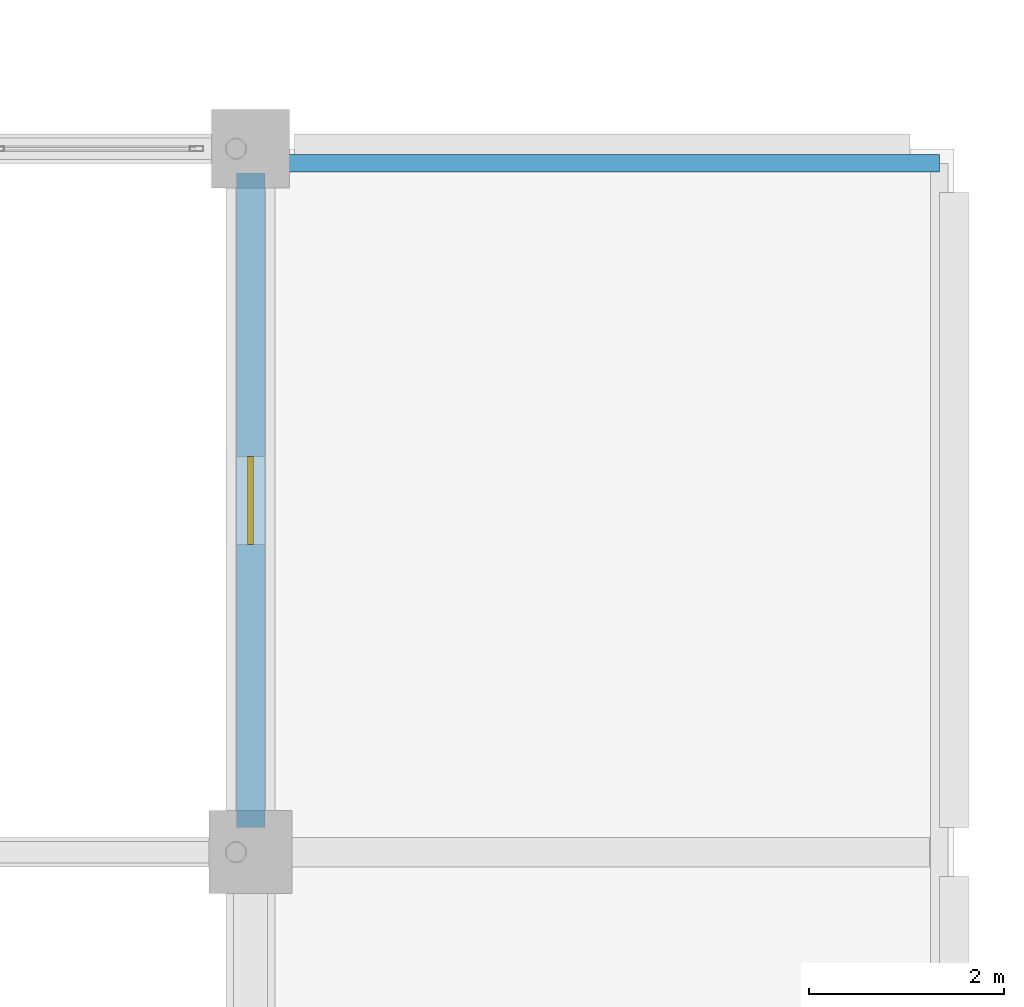
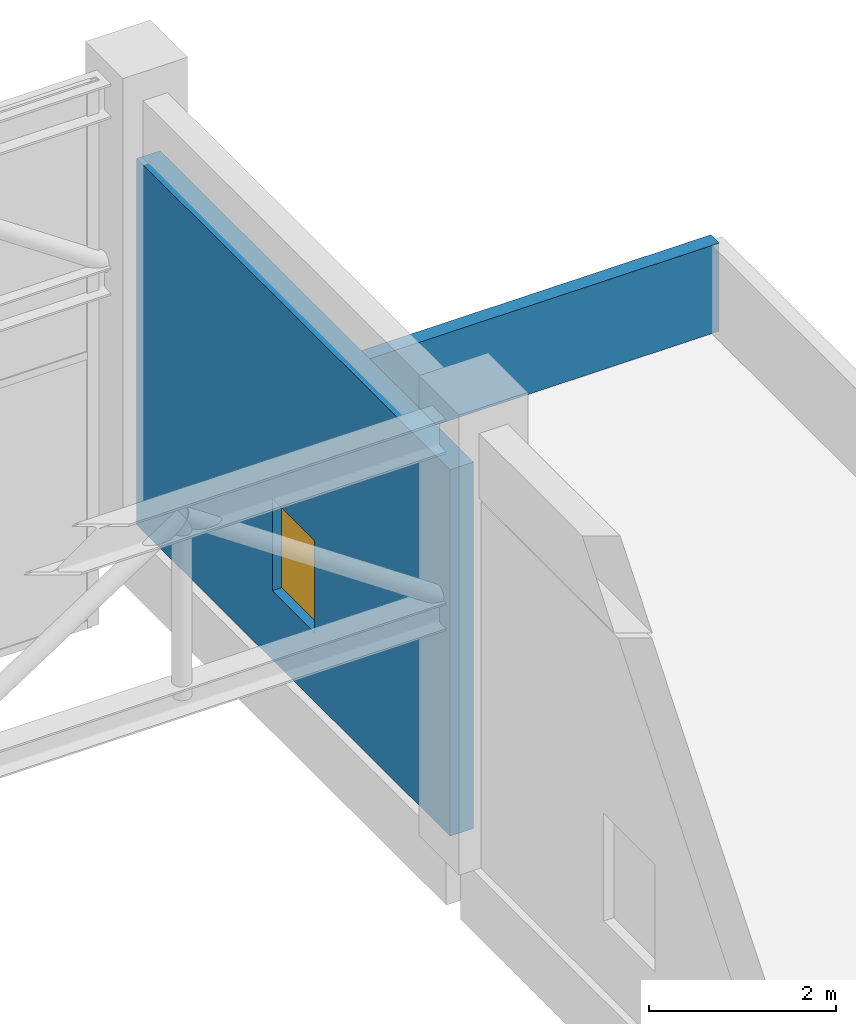
# One storey, part 138 of 153: 2 walls, 1 window, 1 opening.
"""IFC4 building model written with IfcOpenShell, lengths in metres."""

from ifc_helpers import new_model, si_unit, direction, frame, frame_2d, origin, place, context, subcontext, project, spatial, rectangle, extrude, material, layer, layer_set, type_object, element, fill, save


model = new_model("IFC4")

# Units and contexts
model_context = context("Model", 3, precision=1e-05, world=origin(), true_north=direction((0.0, 1.0)))
body_context = subcontext(model_context, "Body", "Model", "MODEL_VIEW")
ifc_project = project(units=[si_unit("LENGTHUNIT", "METRE"), si_unit("AREAUNIT", "SQUARE_METRE"), si_unit("VOLUMEUNIT", "CUBIC_METRE"), si_unit("PLANEANGLEUNIT", "RADIAN"), si_unit("MASSUNIT", "GRAM", prefix="KILO")], contexts=[model_context])

# Site, building, storey
site_placement = place(None, origin())
site = spatial("IfcSite", under=ifc_project, at=site_placement, CompositionType="ELEMENT")
building_placement = place(site_placement, origin())
building = spatial("IfcBuilding", under=site, at=building_placement, Name="Qandorah Velis Arena", CompositionType="ELEMENT")
storey_placement = place(building_placement, frame((0.0, 0.0, 5.39990234375)))
storey = spatial("IfcBuildingStorey", under=building, at=storey_placement, Name="L01", CompositionType="ELEMENT", Elevation=5.39990234375)

# Wall, opening, window
ifc_material_1 = material(Name="Precast concrete C40/50", Category="concrete")
ifc_layer_1 = layer(ifc_material_1, 0.2900390625)
ifc_layer_set_1 = layer_set([ifc_layer_1], Name="Precast concrete C40/50")
wall_type_1 = type_object("IfcWallType", Name="ARC-WAL-EXT290", PredefinedType="SOLIDWALL", material=ifc_layer_set_1)
wall_1_placement = place(storey_placement, frame((165.60009765625, 115.449951171875, 0.0), z_axis=(0.0, 0.0, 1.0), x_axis=(0.0, 1.0, 0.0)))
wall_1 = element("IfcWall", 1, at=wall_1_placement, inside=storey, type_object=wall_type_1, Name="Precast exterior facade wall L01-14", PredefinedType="SOLIDWALL", context=body_context, shape_type="SweptSolid", body=[
    extrude(rectangle(XDim=6.699951171875, YDim=0.2900390625, at=frame_2d((3.35009765625, 0.0))), origin(), (0.0, 0.0, 1.0), 4.780029296875),
])
opening_placement = place(wall_1_placement, frame((2.89990234375, 0.0, 0.89990234375)))
opening = element("IfcOpeningElement", 2, at=opening_placement, cuts=wall_1, Name="Opening W14", PredefinedType="OPENING", context=body_context, shape_type="SweptSolid", body=[
    extrude(rectangle(XDim=0.89990234375, YDim=1.199951171875, at=frame_2d((0.449951171875, 0.60009765625))), frame((0.0, 0.155029296875, 0.0), z_axis=(0.0, -1.0, 0.0), x_axis=(1.0, 0.0, 0.0)), (0.0, 0.0, 1.0), 0.31005859375),
])
ifc_material_2 = material(Name="Solar-control low-E double glazing", Category="glass")
window_type = type_object("IfcWindowType", Name="ARC-WIN-0900X1200", PartitioningType="SINGLE_PANEL", PredefinedType="WINDOW", material=ifc_material_2)
window_placement = place(opening_placement, origin())
window = element("IfcWindow", 3, at=window_placement, inside=storey, type_object=window_type, Name="Exterior low-E window L01-014", OverallHeight=1.199951171875, OverallWidth=0.89990234375, PartitioningType="SINGLE_PANEL", PredefinedType="WINDOW", context=body_context, shape_type="SweptSolid", body=[
    extrude(rectangle(XDim=0.89990234375, YDim=1.199951171875, at=frame_2d((0.449951171875, 0.60009765625))), frame((0.0, 0.030029296875, 0.0), z_axis=(0.0, -1.0, 0.0), x_axis=(1.0, 0.0, 0.0)), (0.0, 0.0, 1.0), 0.06005859375),
])
fill(opening, window)

# Wall
ifc_layer_2 = layer(ifc_material_1, 0.179931640625)
ifc_layer_set_2 = layer_set([ifc_layer_2], Name="Precast concrete C40/50")
wall_type_2 = type_object("IfcWallType", Name="ARC-WAL-PAR180", PredefinedType="PARAPET", material=ifc_layer_set_2)
wall_2_placement = place(storey_placement, frame((165.75, 122.25, 0.0), z_axis=(0.0, 0.0, 1.0), x_axis=(1.0, 0.0, 0.0)))
element("IfcWall", 4, at=wall_2_placement, inside=storey, type_object=wall_type_2, Name="Roof perimeter parapet wall PW-18", PredefinedType="PARAPET", context=body_context, shape_type="SweptSolid", body=[
    extrude(rectangle(XDim=6.89990234375, YDim=0.179931640625, at=frame_2d((3.449951171875, 0.0))), origin(), (0.0, 0.0, 1.0), 1.150146484375),
])

save(model, "model.ifc")
